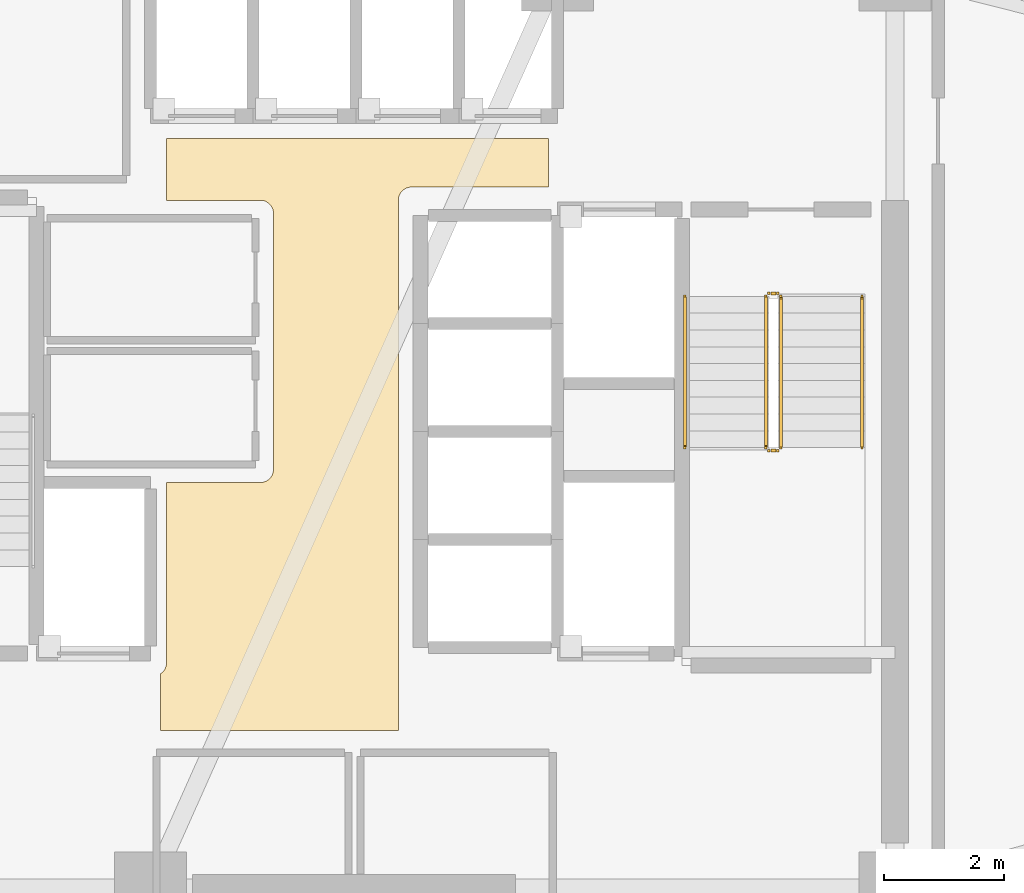
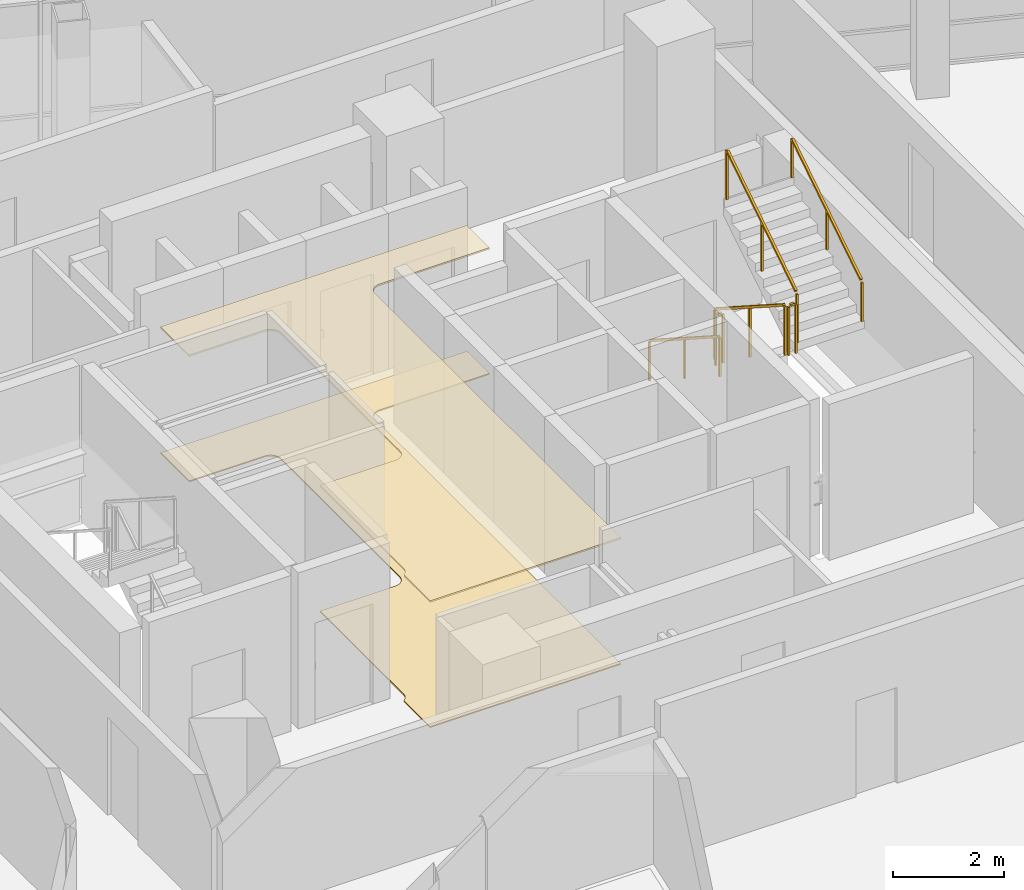
# One storey, part 15 of 16: 6 railings, 2 coverings.
"""IFC4 building model written with IfcOpenShell, lengths in metres."""

from ifc_helpers import new_model, si_unit, direction, frame, origin, origin_2d, place, context, subcontext, project, spatial, polyline, rectangle, outline, extrude, material, layer, layer_set, type_object, element, save


model = new_model("IFC4")

# Units and contexts
model_context = context("Model", 3, precision=1e-05, world=origin(), true_north=direction((0.0, 1.0)))
body_context = subcontext(model_context, "Body", "Model", "MODEL_VIEW")
ifc_project = project(units=[si_unit("LENGTHUNIT", "METRE"), si_unit("AREAUNIT", "SQUARE_METRE"), si_unit("VOLUMEUNIT", "CUBIC_METRE"), si_unit("PLANEANGLEUNIT", "RADIAN"), si_unit("MASSUNIT", "GRAM", prefix="KILO")], contexts=[model_context])

# Site, building, storey
site_placement = place(None, origin())
site = spatial("IfcSite", under=ifc_project, at=site_placement, CompositionType="ELEMENT")
building_placement = place(site_placement, origin())
building = spatial("IfcBuilding", under=site, at=building_placement, Name="Tharavind Bronze Gate", CompositionType="ELEMENT")
storey_placement = place(building_placement, frame((0.0, 0.0, 181.300048828125)))
storey = spatial("IfcBuildingStorey", under=building, at=storey_placement, Name="L46", CompositionType="ELEMENT", Elevation=181.300048828125)

# Coverings
ifc_material_1 = material(Name="Perforated Bronze Acoustic Panel", Category="bronze")
ifc_layer_1 = layer(ifc_material_1, 0.044921875)
ifc_layer_set_1 = layer_set([ifc_layer_1], Name="Perforated Bronze Acoustic Panel")
covering_type_1 = type_object("IfcCoveringType", Name="ACOUSTIC BRONZE BAFFLE CEILING", PredefinedType="CEILING", material=ifc_layer_set_1)
covering_1_placement = place(storey_placement, frame((0.0, 0.0, 2.75)))
element("IfcCovering", 1, at=covering_1_placement, inside=storey, type_object=covering_type_1, Name="L46-C-LL suspended ceiling", PredefinedType="CEILING", context=body_context, shape_type="SweptSolid", body=[
    extrude(outline(polyline([(-3.330078125, -4.97998046875), (0.6298828125, -4.97998046875), (0.6298828125, 3.85009765625), (0.631103515625, 3.87158203125), (0.63427734375, 3.892822265625), (0.639404296875, 3.913818359375), (0.646728515625, 3.93408203125), (0.656005859375, 3.95361328125), (0.6669921875, 3.97216796875), (0.679931640625, 3.989501953125), (0.6943359375, 4.005615234375), (0.71044921875, 4.02001953125), (0.727783203125, 4.032958984375), (0.746337890625, 4.0439453125), (0.765869140625, 4.05322265625), (0.7861328125, 4.060546875), (0.80712890625, 4.06591796875), (0.828369140625, 4.06884765625), (0.85009765625, 4.070068359375), (3.1298828125, 4.070068359375), (3.1298828125, 4.8798828125), (-3.22998046875, 4.8798828125), (-3.22998046875, 3.85009765625), (-1.669921875, 3.85009765625), (-1.6484375, 3.848876953125), (-1.627197265625, 3.845703125), (-1.606201171875, 3.840576171875), (-1.585693359375, 3.833251953125), (-1.56640625, 3.823974609375), (-1.5478515625, 3.81298828125), (-1.530517578125, 3.800048828125), (-1.514404296875, 3.78564453125), (-1.5, 3.76953125), (-1.487060546875, 3.752197265625), (-1.47607421875, 3.733642578125), (-1.466796875, 3.714111328125), (-1.45947265625, 3.69384765625), (-1.4541015625, 3.6728515625), (-1.451171875, 3.651611328125), (-1.449951171875, 3.6298828125), (-1.449951171875, 1.43994140625), (-1.450439453125, 1.429931640625), (-1.449951171875, 1.419921875), (-1.449951171875, -0.6298828125), (-1.451171875, -0.651611328125), (-1.4541015625, -0.6728515625), (-1.45947265625, -0.69384765625), (-1.466796875, -0.714111328125), (-1.47607421875, -0.733642578125), (-1.487060546875, -0.752197265625), (-1.5, -0.76953125), (-1.514404296875, -0.78564453125), (-1.530517578125, -0.800048828125), (-1.5478515625, -0.81298828125), (-1.56640625, -0.823974609375), (-1.585693359375, -0.833251953125), (-1.606201171875, -0.840576171875), (-1.627197265625, -0.845703125), (-1.6484375, -0.848876953125), (-1.669921875, -0.85009765625), (-3.22998046875, -0.85009765625), (-3.22998046875, -3.85009765625), (-3.231201171875, -3.87158203125), (-3.234130859375, -3.892822265625), (-3.239501953125, -3.913818359375), (-3.24658203125, -3.93408203125), (-3.256103515625, -3.95361328125), (-3.26708984375, -3.97216796875), (-3.27978515625, -3.989501953125), (-3.29443359375, -4.005615234375), (-3.310302734375, -4.02001953125), (-3.327880859375, -4.032958984375), (-3.330078125, -4.0341796875), (-3.330078125, -4.97998046875)])), origin(), (0.0, 0.0, 1.0), 0.034912109375),
])
ifc_material_2 = material(Name="Honed Travertine Limestone", Category="masonry")
ifc_layer_2 = layer(ifc_material_2, 0.030029296875)
ifc_layer_set_2 = layer_set([ifc_layer_2], Name="Honed Travertine Limestone")
covering_type_2 = type_object("IfcCoveringType", Name="HONED LIMESTONE FLOORING", PredefinedType="FLOORING", material=ifc_layer_set_2)
covering_2_placement = place(storey_placement, origin())
element("IfcCovering", 2, at=covering_2_placement, inside=storey, type_object=covering_type_2, Name="L46-C-LL floor finish", PredefinedType="FLOORING", context=body_context, shape_type="SweptSolid", body=[
    extrude(outline(polyline([(-3.330078125, -4.97998046875), (0.6298828125, -4.97998046875), (0.6298828125, 3.85009765625), (0.631103515625, 3.87158203125), (0.63427734375, 3.892822265625), (0.639404296875, 3.913818359375), (0.646728515625, 3.93408203125), (0.656005859375, 3.95361328125), (0.6669921875, 3.97216796875), (0.679931640625, 3.989501953125), (0.6943359375, 4.005615234375), (0.71044921875, 4.02001953125), (0.727783203125, 4.032958984375), (0.746337890625, 4.0439453125), (0.765869140625, 4.05322265625), (0.7861328125, 4.060546875), (0.80712890625, 4.06591796875), (0.828369140625, 4.06884765625), (0.85009765625, 4.070068359375), (3.1298828125, 4.070068359375), (3.1298828125, 4.8798828125), (-3.22998046875, 4.8798828125), (-3.22998046875, 3.85009765625), (-1.669921875, 3.85009765625), (-1.6484375, 3.848876953125), (-1.627197265625, 3.845703125), (-1.606201171875, 3.840576171875), (-1.585693359375, 3.833251953125), (-1.56640625, 3.823974609375), (-1.5478515625, 3.81298828125), (-1.530517578125, 3.800048828125), (-1.514404296875, 3.78564453125), (-1.5, 3.76953125), (-1.487060546875, 3.752197265625), (-1.47607421875, 3.733642578125), (-1.466796875, 3.714111328125), (-1.45947265625, 3.69384765625), (-1.4541015625, 3.6728515625), (-1.451171875, 3.651611328125), (-1.449951171875, 3.6298828125), (-1.449951171875, 1.43994140625), (-1.450439453125, 1.429931640625), (-1.449951171875, 1.419921875), (-1.449951171875, -0.6298828125), (-1.451171875, -0.651611328125), (-1.4541015625, -0.6728515625), (-1.45947265625, -0.69384765625), (-1.466796875, -0.714111328125), (-1.47607421875, -0.733642578125), (-1.487060546875, -0.752197265625), (-1.5, -0.76953125), (-1.514404296875, -0.78564453125), (-1.530517578125, -0.800048828125), (-1.5478515625, -0.81298828125), (-1.56640625, -0.823974609375), (-1.585693359375, -0.833251953125), (-1.606201171875, -0.840576171875), (-1.627197265625, -0.845703125), (-1.6484375, -0.848876953125), (-1.669921875, -0.85009765625), (-3.22998046875, -0.85009765625), (-3.22998046875, -3.85009765625), (-3.231201171875, -3.87158203125), (-3.234130859375, -3.892822265625), (-3.239501953125, -3.913818359375), (-3.24658203125, -3.93408203125), (-3.256103515625, -3.95361328125), (-3.26708984375, -3.97216796875), (-3.27978515625, -3.989501953125), (-3.29443359375, -4.005615234375), (-3.310302734375, -4.02001953125), (-3.327880859375, -4.032958984375), (-3.330078125, -4.0341796875), (-3.330078125, -4.97998046875)])), origin(), (0.0, 0.0, 1.0), 0.02490234375),
])

# Railings
ifc_material_3 = material(Name="Brushed Bronze Alloy", Category="metal")
railing_type_1 = type_object("IfcRailingType", Name="STAIR BRONZE HANDRAIL 900", PredefinedType="HANDRAIL", material=ifc_material_3)
railing_1_placement = place(storey_placement, frame((5.39990234375, 2.25, 0.179931640625)))
element("IfcRailing", 3, at=railing_1_placement, inside=storey, type_object=railing_type_1, Name="L46 ST2 stair handrail 1", PredefinedType="HANDRAIL", context=body_context, shape_type="SweptSolid", body=[
    extrude(rectangle(XDim=0.048095703125, YDim=0.048095703125, at=origin_2d()), frame((0.0, -0.02685546875, 0.89306640625), z_axis=(0.0, -0.841162588446, 0.540782303519), x_axis=(1.0, 0.0, 0.0)), (0.0, 0.0, 1.0), 2.931884765625),
    extrude(rectangle(XDim=0.0400390625, YDim=0.0400390625, at=origin_2d()), origin(), (0.0, 0.0, 1.0), 0.847900390625),
    extrude(rectangle(XDim=0.0400390625, YDim=0.0400390625, at=origin_2d()), frame((0.0, -1.260009765625, 0.81005859375)), (0.0, 0.0, 1.0), 0.847900390625),
    extrude(rectangle(XDim=0.0400390625, YDim=0.0400390625, at=origin_2d()), frame((0.0, -2.52001953125, 1.6201171875)), (0.0, 0.0, 1.0), 0.847900390625),
])
railing_2_placement = place(storey_placement, frame((8.35009765625, -0.27001953125, 1.97998046875)))
element("IfcRailing", 4, at=railing_2_placement, inside=storey, type_object=railing_type_1, Name="L46 ST2 stair handrail 2", PredefinedType="HANDRAIL", context=body_context, shape_type="SweptSolid", body=[
    extrude(rectangle(XDim=0.048095703125, YDim=0.048095703125, at=origin_2d()), frame((0.0, 0.02685546875, 0.89306640625), z_axis=(0.0, 0.841199657755, 0.540724639528), x_axis=(-1.0, 0.0, 0.0)), (0.0, 0.0, 1.0), 2.931640625),
    extrude(rectangle(XDim=0.0400390625, YDim=0.0400390625, at=origin_2d()), origin(), (0.0, 0.0, 1.0), 0.847900390625),
    extrude(rectangle(XDim=0.0400390625, YDim=0.0400390625, at=origin_2d()), frame((0.0, 1.260009765625, 0.81005859375)), (0.0, 0.0, 1.0), 0.847900390625),
    extrude(rectangle(XDim=0.0400390625, YDim=0.0400390625, at=origin_2d()), frame((0.0, 2.52001953125, 1.619873046875)), (0.0, 0.0, 1.0), 0.847900390625),
])
railing_type_2 = type_object("IfcRailingType", Name="STAIR WELL GUARD RAILING 1120", PredefinedType="GUARDRAIL", material=ifc_material_3)
railing_3_placement = place(storey_placement, frame((6.75, 2.25, 0.179931640625)))
element("IfcRailing", 5, at=railing_3_placement, inside=storey, type_object=railing_type_2, Name="L46 ST2 stair guard 1", PredefinedType="GUARDRAIL", context=body_context, shape_type="SweptSolid", body=[
    extrude(rectangle(XDim=0.048095703125, YDim=0.048095703125, at=origin_2d()), frame((0.0, -0.02685546875, 1.11328125), z_axis=(0.0, -0.841162588446, 0.540782303519), x_axis=(1.0, 0.0, 0.0)), (0.0, 0.0, 1.0), 2.931884765625),
    extrude(rectangle(XDim=0.0400390625, YDim=0.0400390625, at=origin_2d()), origin(), (0.0, 0.0, 1.0), 1.068115234375),
    extrude(rectangle(XDim=0.0400390625, YDim=0.0400390625, at=origin_2d()), frame((0.0, -1.260009765625, 0.81005859375)), (0.0, 0.0, 1.0), 1.068115234375),
    extrude(rectangle(XDim=0.0400390625, YDim=0.0400390625, at=origin_2d()), frame((0.0, -2.52001953125, 1.6201171875)), (0.0, 0.0, 1.0), 1.068115234375),
])
railing_4_placement = place(storey_placement, frame((6.800048828125, -0.320068359375, 1.800048828125)))
element("IfcRailing", 6, at=railing_4_placement, inside=storey, type_object=railing_type_2, Name="L46 ST2 stair guard 2", PredefinedType="GUARDRAIL", context=body_context, shape_type="SweptSolid", body=[
    extrude(rectangle(XDim=0.048095703125, YDim=0.048095703125, at=origin_2d()), frame((0.031982421875, 0.0, 1.09619140625), z_axis=(1.0, 0.0, 0.0), x_axis=(0.0, 1.0, 0.0)), (0.0, 0.0, 1.0), 0.0859375),
    extrude(rectangle(XDim=0.0400390625, YDim=0.0400390625, at=origin_2d()), origin(), (0.0, 0.0, 1.0), 1.068115234375),
    extrude(rectangle(XDim=0.0400390625, YDim=0.0400390625, at=origin_2d()), frame((0.14990234375, 0.0, 0.0)), (0.0, 0.0, 1.0), 1.068115234375),
])
railing_5_placement = place(storey_placement, frame((7.0, -0.27001953125, 1.97998046875)))
element("IfcRailing", 7, at=railing_5_placement, inside=storey, type_object=railing_type_2, Name="L46 ST2 stair guard 3", PredefinedType="GUARDRAIL", context=body_context, shape_type="SweptSolid", body=[
    extrude(rectangle(XDim=0.048095703125, YDim=0.048095703125, at=origin_2d()), frame((0.0, 0.02685546875, 1.11328125), z_axis=(0.0, 0.841199657755, 0.540724639528), x_axis=(-1.0, 0.0, 0.0)), (0.0, 0.0, 1.0), 2.931640625),
    extrude(rectangle(XDim=0.0400390625, YDim=0.0400390625, at=origin_2d()), origin(), (0.0, 0.0, 1.0), 1.068115234375),
    extrude(rectangle(XDim=0.0400390625, YDim=0.0400390625, at=origin_2d()), frame((0.0, 1.260009765625, 0.81005859375)), (0.0, 0.0, 1.0), 1.068115234375),
    extrude(rectangle(XDim=0.0400390625, YDim=0.0400390625, at=origin_2d()), frame((0.0, 2.52001953125, 1.619873046875)), (0.0, 0.0, 1.0), 1.068115234375),
])
railing_6_placement = place(storey_placement, frame((6.800048828125, 2.300048828125, 0.0)))
element("IfcRailing", 8, at=railing_6_placement, inside=storey, type_object=railing_type_2, Name="L46 ST2 stair guard 4", PredefinedType="GUARDRAIL", context=body_context, shape_type="SweptSolid", body=[
    extrude(rectangle(XDim=0.048095703125, YDim=0.048095703125, at=origin_2d()), frame((0.031982421875, 0.0, 1.09619140625), z_axis=(1.0, 0.0, 0.0), x_axis=(0.0, 1.0, 0.0)), (0.0, 0.0, 1.0), 0.0859375),
    extrude(rectangle(XDim=0.0400390625, YDim=0.0400390625, at=origin_2d()), origin(), (0.0, 0.0, 1.0), 1.068115234375),
    extrude(rectangle(XDim=0.0400390625, YDim=0.0400390625, at=origin_2d()), frame((0.14990234375, 0.0, 0.0)), (0.0, 0.0, 1.0), 1.068115234375),
])

save(model, "model.ifc")
